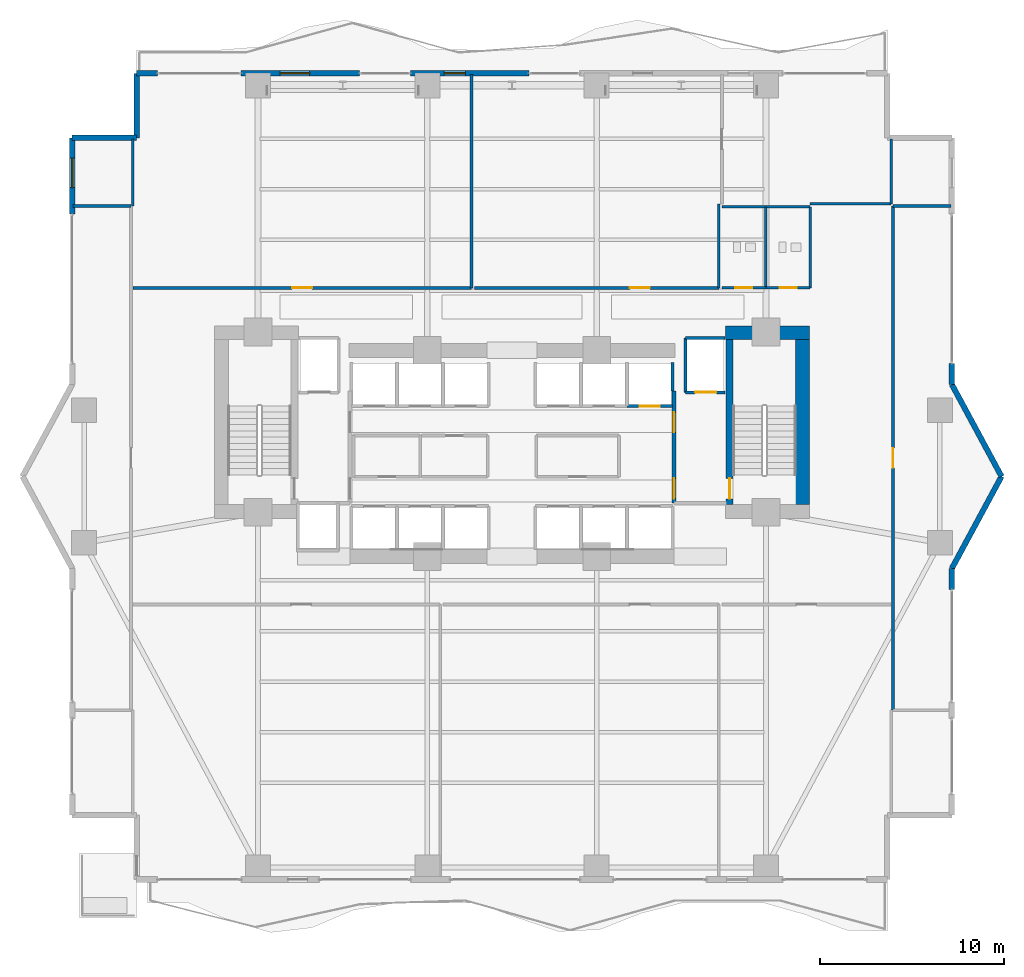
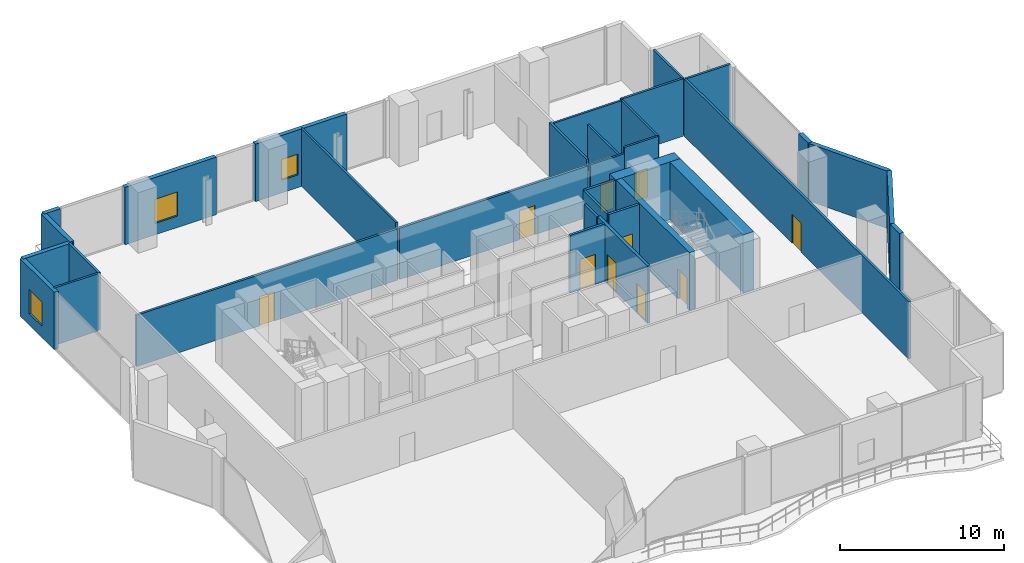
# One storey, part 28 of 33: 34 walls, 10 doors, 3 windows, 13 openings.
"""IFC4 building model written with IfcOpenShell, lengths in metres."""

from ifc_helpers import new_model, si_unit, direction, frame, frame_2d, origin, place, context, subcontext, project, spatial, rectangle, extrude, material, layer, layer_set, type_object, element, fill, save


model = new_model("IFC4")

# Units and contexts
model_context = context("Model", 3, precision=1e-05, world=origin(), true_north=direction((0.0, 1.0)))
body_context = subcontext(model_context, "Body", "Model", "MODEL_VIEW")
ifc_project = project(units=[si_unit("LENGTHUNIT", "METRE"), si_unit("AREAUNIT", "SQUARE_METRE"), si_unit("VOLUMEUNIT", "CUBIC_METRE"), si_unit("PLANEANGLEUNIT", "RADIAN"), si_unit("MASSUNIT", "GRAM", prefix="KILO")], contexts=[model_context])

# Site, building, storey
site_placement = place(None, origin())
site = spatial("IfcSite", under=ifc_project, at=site_placement, CompositionType="ELEMENT")
building_placement = place(site_placement, origin())
building = spatial("IfcBuilding", under=site, at=building_placement, Name="Zuhayl Quay Hotel", CompositionType="ELEMENT")
storey_placement = place(building_placement, frame((0.0, 0.0, 154.050048828125)))
storey = spatial("IfcBuildingStorey", under=building, at=storey_placement, Name="L39", CompositionType="ELEMENT", Elevation=154.050048828125)

# Walls
ifc_material_1 = material(Name="Concrete C60/75", Category="concrete")
ifc_layer_1 = layer(ifc_material_1, 0.75, Name="Concrete C60/75", Category="concrete")
ifc_layer_set_1 = layer_set([ifc_layer_1], Name="Concrete C60/75")
wall_type_1 = type_object("IfcWallType", Name="WL_CORE_750", PredefinedType="SHEAR", material=ifc_layer_set_1)
wall_1_placement = place(storey_placement, frame((11.60009765625, 14.304931640625, 0.0), z_axis=(0.0, 0.0, 1.0), x_axis=(1.0, 0.0, 0.0)))
element("IfcWall", 1, at=wall_1_placement, inside=storey, type_object=wall_type_1, Name="L39 Core Shear Wall CW_NE", PredefinedType="SHEAR", context=body_context, shape_type="SweptSolid", body=[
    extrude(rectangle(XDim=4.559814453125, YDim=0.75, at=frame_2d((2.27978515625, 0.0))), origin(), (0.0, 0.0, 1.0), 4.31005859375),
])
wall_2_placement = place(storey_placement, frame((15.784912109375, 4.969970703125, 0.0), z_axis=(0.0, 0.0, 1.0), x_axis=(0.0, 1.0, 0.0)))
element("IfcWall", 2, at=wall_2_placement, inside=storey, type_object=wall_type_1, Name="L39 Core Shear Wall CW_E", PredefinedType="SHEAR", context=body_context, shape_type="SweptSolid", body=[
    extrude(rectangle(XDim=8.9599609375, YDim=0.75, at=frame_2d((4.47998046875, 0.0))), origin(), (0.0, 0.0, 1.0), 4.31005859375),
])

# Wall, opening, window
ifc_material_2 = material(Name="Precast concrete C45/55", Category="concrete")
ifc_layer_2 = layer(ifc_material_2, 0.300048828125, Name="Precast concrete C45/55", Category="concrete")
ifc_layer_set_2 = layer_set([ifc_layer_2], Name="Precast concrete C45/55")
wall_type_2 = type_object("IfcWallType", Name="WL_EXT_300", PredefinedType="STANDARD", material=ifc_layer_set_2)
wall_3_placement = place(storey_placement, frame((-23.89990234375, 20.75, 0.0), z_axis=(0.0, 0.0, 1.0), x_axis=(0.0, 1.0, 0.0)))
wall_3 = element("IfcWall", 3, at=wall_3_placement, inside=storey, type_object=wall_type_2, Name="L39 Exterior Precast Wall ENV_L39_E05_EW2", PredefinedType="STANDARD", context=body_context, shape_type="SweptSolid", body=[
    extrude(rectangle(XDim=4.14990234375, YDim=0.300048828125, at=frame_2d((2.074951171875, 0.0))), origin(), (0.0, 0.0, 1.0), 4.280029296875),
])
opening_1_placement = place(wall_3_placement, frame((1.43994140625, 0.0, 0.85009765625)))
opening_1 = element("IfcOpeningElement", 4, at=opening_1_placement, cuts=wall_3, Name="Opening W01", PredefinedType="OPENING", context=body_context, shape_type="SweptSolid", body=[
    extrude(rectangle(XDim=1.60009765625, YDim=1.800048828125, at=frame_2d((0.800048828125, 0.89990234375))), frame((0.0, 0.159912109375, 0.0), z_axis=(0.0, -1.0, 0.0), x_axis=(1.0, 0.0, 0.0)), (0.0, 0.0, 1.0), 0.320068359375),
])
ifc_material_3 = material(Name="Dark Ceramic-Fritted Solar Glass", Category="glass")
window_type_1 = type_object("IfcWindowType", Name="WN_OPERABLE_1600", PartitioningType="DOUBLE_PANEL_VERTICAL", PredefinedType="WINDOW", material=ifc_material_3)
window_1_placement = place(opening_1_placement, origin())
window_1 = element("IfcWindow", 5, at=window_1_placement, inside=storey, type_object=window_type_1, Name="L39 Operable Facade Window 2-1", OverallHeight=1.800048828125, OverallWidth=1.60009765625, PartitioningType="SINGLE_PANEL", PredefinedType="WINDOW", context=body_context, shape_type="SweptSolid", body=[
    extrude(rectangle(XDim=1.60009765625, YDim=1.800048828125, at=frame_2d((0.800048828125, 0.89990234375))), frame((0.0, 0.030029296875, 0.0), z_axis=(0.0, -1.0, 0.0), x_axis=(1.0, 0.0, 0.0)), (0.0, 0.0, 1.0), 0.06005859375),
])
fill(opening_1, window_1)

# Walls
for number, where, z_axis, x_axis, name in (
    (6, (-23.89990234375, 24.89990234375, 0.0), (0.0, 0.0, 1.0), (1.0, 0.0, 0.0), "L39 Exterior Precast Wall ENV_L39_EW06"),
    (7, (-20.39990234375, 24.89990234375, 0.0), (0.0, 0.0, 1.0), (0.0, 1.0, 0.0), "L39 Exterior Precast Wall ENV_L39_EW07"),
):
    element("IfcWall", number, at=place(storey_placement, frame(where, z_axis=z_axis, x_axis=x_axis)), inside=storey, type_object=wall_type_2, Name=name, PredefinedType="STANDARD", context=body_context, shape_type="SweptSolid", body=[
        extrude(rectangle(XDim=3.5, YDim=0.300048828125, at=frame_2d((1.75, 0.0))), origin(), (0.0, 0.0, 1.0), 4.280029296875),
    ])
wall_4_placement = place(storey_placement, frame((-20.39990234375, 28.39990234375, 0.0), z_axis=(0.0, 0.0, 1.0), x_axis=(1.0, 0.0, 0.0)))
element("IfcWall", 8, at=wall_4_placement, inside=storey, type_object=wall_type_2, Name="L39 Exterior Precast Wall ENV_L39_N_EW1", PredefinedType="STANDARD", context=body_context, shape_type="SweptSolid", body=[
    extrude(rectangle(XDim=1.14990234375, YDim=0.300048828125, at=frame_2d((0.574951171875, 0.0))), origin(), (0.0, 0.0, 1.0), 4.280029296875),
])

# Wall, opening, window
wall_5_placement = place(storey_placement, frame((-14.719970703125, 28.39990234375, 0.0), z_axis=(0.0, 0.0, 1.0), x_axis=(1.0, 0.0, 0.0)))
wall_5 = element("IfcWall", 9, at=wall_5_placement, inside=storey, type_object=wall_type_2, Name="L39 Exterior Precast Wall ENV_L39_N_EW2", PredefinedType="STANDARD", context=body_context, shape_type="SweptSolid", body=[
    extrude(rectangle(XDim=6.43994140625, YDim=0.300048828125, at=frame_2d((3.219970703125, 0.0))), origin(), (0.0, 0.0, 1.0), 4.280029296875),
])
opening_2_placement = place(wall_5_placement, frame((2.1201171875, 0.0, 0.85009765625)))
opening_2 = element("IfcOpeningElement", 10, at=opening_2_placement, cuts=wall_5, Name="Opening W01", PredefinedType="OPENING", context=body_context, shape_type="SweptSolid", body=[
    extrude(rectangle(XDim=1.60009765625, YDim=1.800048828125, at=frame_2d((0.800048828125, 0.89990234375))), frame((0.0, 0.159912109375, 0.0), z_axis=(0.0, -1.0, 0.0), x_axis=(1.0, 0.0, 0.0)), (0.0, 0.0, 1.0), 0.320068359375),
])
window_2_placement = place(opening_2_placement, origin())
window_2 = element("IfcWindow", 11, at=window_2_placement, inside=storey, type_object=window_type_1, Name="L39 North Operable Casement Window", OverallHeight=1.800048828125, OverallWidth=1.60009765625, PartitioningType="SINGLE_PANEL", PredefinedType="WINDOW", context=body_context, shape_type="SweptSolid", body=[
    extrude(rectangle(XDim=1.60009765625, YDim=1.800048828125, at=frame_2d((0.800048828125, 0.89990234375))), frame((0.0, 0.030029296875, 0.0), z_axis=(0.0, -1.0, 0.0), x_axis=(1.0, 0.0, 0.0)), (0.0, 0.0, 1.0), 0.06005859375),
])
fill(opening_2, window_2)

wall_6_placement = place(storey_placement, frame((-5.52001953125, 28.39990234375, 0.0), z_axis=(0.0, 0.0, 1.0), x_axis=(1.0, 0.0, 0.0)))
wall_6 = element("IfcWall", 12, at=wall_6_placement, inside=storey, type_object=wall_type_2, Name="L39 Exterior Precast Wall ENV_L39_N_EW3", PredefinedType="STANDARD", context=body_context, shape_type="SweptSolid", body=[
    extrude(rectangle(XDim=6.43994140625, YDim=0.300048828125, at=frame_2d((3.219970703125, 0.0))), origin(), (0.0, 0.0, 1.0), 4.280029296875),
])
opening_3_placement = place(wall_6_placement, frame((1.8349609375, 0.0, 0.949951171875)))
opening_3 = element("IfcOpeningElement", 13, at=opening_3_placement, cuts=wall_6, Name="Opening W01N", PredefinedType="OPENING", context=body_context, shape_type="SweptSolid", body=[
    extrude(rectangle(XDim=1.14990234375, YDim=1.550048828125, at=frame_2d((0.574951171875, 0.77490234375))), frame((0.0, 0.159912109375, 0.0), z_axis=(0.0, -1.0, 0.0), x_axis=(1.0, 0.0, 0.0)), (0.0, 0.0, 1.0), 0.320068359375),
])
window_type_2 = type_object("IfcWindowType", Name="WN_NOTCH_1350", PartitioningType="SINGLE_PANEL", PredefinedType="WINDOW", material=ifc_material_3)
window_3_placement = place(opening_3_placement, origin())
window_3 = element("IfcWindow", 14, at=window_3_placement, inside=storey, type_object=window_type_2, Name="L39 Operable Facade Window 3-1", OverallHeight=1.550048828125, OverallWidth=1.14990234375, PartitioningType="SINGLE_PANEL", PredefinedType="WINDOW", context=body_context, shape_type="SweptSolid", body=[
    extrude(rectangle(XDim=1.14990234375, YDim=1.550048828125, at=frame_2d((0.574951171875, 0.77490234375))), frame((0.0, 0.030029296875, 0.0), z_axis=(0.0, -1.0, 0.0), x_axis=(1.0, 0.0, 0.0)), (0.0, 0.0, 1.0), 0.06005859375),
])
fill(opening_3, window_3)

# Walls
wall_7_placement = place(storey_placement, frame((23.89990234375, 12.64990234375, 0.0), z_axis=(0.0, 0.0, 1.0), x_axis=(0.0, -1.0, 0.0)))
element("IfcWall", 15, at=wall_7_placement, inside=storey, type_object=wall_type_2, Name="L39 Exterior Precast Wall ENV_L39_E11_EW2", PredefinedType="STANDARD", context=body_context, shape_type="SweptSolid", body=[
    extrude(rectangle(XDim=1.14990234375, YDim=0.300048828125, at=frame_2d((0.574951171875, 0.0))), origin(), (0.0, 0.0, 1.0), 4.280029296875),
])
for number, where, z_axis, x_axis, name in (
    (16, (23.89990234375, 11.5, 0.0), (0.0, 0.0, 1.0), (0.475175525499, -0.879891027325, 0.0), "L39 Exterior Precast Wall ENV_L39_EW12"),
    (17, (26.60009765625, 6.5, 0.0), (0.0, 0.0, 1.0), (-0.475175525499, -0.879891027325, 0.0), "L39 Exterior Precast Wall ENV_L39_EW13"),
):
    element("IfcWall", number, at=place(storey_placement, frame(where, z_axis=z_axis, x_axis=x_axis)), inside=storey, type_object=wall_type_2, Name=name, PredefinedType="STANDARD", context=body_context, shape_type="SweptSolid", body=[
        extrude(rectangle(XDim=5.6826171875, YDim=0.300048828125, at=frame_2d((2.84130859375, 0.0))), origin(), (0.0, 0.0, 1.0), 4.280029296875),
    ])
wall_8_placement = place(storey_placement, frame((23.89990234375, 1.5, 0.0), z_axis=(0.0, 0.0, 1.0), x_axis=(0.0, -1.0, 0.0)))
element("IfcWall", 18, at=wall_8_placement, inside=storey, type_object=wall_type_2, Name="L39 Exterior Precast Wall ENV_L39_E14_EW1", PredefinedType="STANDARD", context=body_context, shape_type="SweptSolid", body=[
    extrude(rectangle(XDim=1.14990234375, YDim=0.300048828125, at=frame_2d((0.574951171875, 0.0))), origin(), (0.0, 0.0, 1.0), 4.280029296875),
])
ifc_material_4 = material(Name="Acoustic Gypsum Partition STC-58")
ifc_layer_3 = layer(ifc_material_4, 0.14990234375, Name="Acoustic Gypsum Partition STC-58")
ifc_layer_set_3 = layer_set([ifc_layer_3], Name="Acoustic Gypsum Partition STC-58")
wall_type_3 = type_object("IfcWallType", Name="WL_PART_150", PredefinedType="PARTITIONING", material=ifc_layer_set_3)
wall_9_placement = place(storey_placement, frame((-20.60009765625, 21.199951171875, 0.0), z_axis=(0.0, 0.0, 1.0), x_axis=(0.0, 1.0, 0.0)))
element("IfcWall", 19, at=wall_9_placement, inside=storey, type_object=wall_type_3, Name="L39 Partition IW_L39_SKY_LOBBY_W", PredefinedType="PARTITIONING", context=body_context, shape_type="SweptSolid", body=[
    extrude(rectangle(XDim=3.64013671875, YDim=0.14990234375, at=frame_2d((1.820068359375, 0.0))), origin(), (0.0, 0.0, 1.0), 4.280029296875),
])
wall_10_placement = place(storey_placement, frame((-2.199951171875, 16.75, 0.0), z_axis=(0.0, 0.0, 1.0), x_axis=(0.0, 1.0, 0.0)))
element("IfcWall", 20, at=wall_10_placement, inside=storey, type_object=wall_type_3, Name="L39 Partition IW_L39_SKY_LOBBY_E", PredefinedType="PARTITIONING", context=body_context, shape_type="SweptSolid", body=[
    extrude(rectangle(XDim=11.590087890625, YDim=0.14990234375, at=frame_2d((5.794921875, 0.0))), origin(), (0.0, 0.0, 1.0), 4.280029296875),
])
wall_11_placement = place(storey_placement, frame((11.239990234375, 16.75, 0.0), z_axis=(0.0, 0.0, 1.0), x_axis=(0.0, 1.0, 0.0)))
element("IfcWall", 21, at=wall_11_placement, inside=storey, type_object=wall_type_3, Name="L39 Partition IW_L39_SKY_BAR_E", PredefinedType="PARTITIONING", context=body_context, shape_type="SweptSolid", body=[
    extrude(rectangle(XDim=4.56005859375, YDim=0.14990234375, at=frame_2d((2.280029296875, 0.0))), origin(), (0.0, 0.0, 1.0), 4.280029296875),
])
for number, where, z_axis, x_axis, name in (
    (22, (20.699951171875, 21.199951171875, 0.0), (0.0, 0.0, 1.0), (1.0, 0.0, 0.0), "L39 Partition IW_L39_SKY_VIP_E_N"),
    (23, (-23.840087890625, 21.199951171875, 0.0), (0.0, 0.0, 1.0), (1.0, 0.0, 0.0), "L39 Partition IW_L39_SKY_VIP_W_N"),
):
    element("IfcWall", number, at=place(storey_placement, frame(where, z_axis=z_axis, x_axis=x_axis)), inside=storey, type_object=wall_type_3, Name=name, PredefinedType="PARTITIONING", context=body_context, shape_type="SweptSolid", body=[
        extrude(rectangle(XDim=3.14013671875, YDim=0.14990234375, at=frame_2d((1.570068359375, 0.0))), origin(), (0.0, 0.0, 1.0), 4.280029296875),
    ])
wall_12_placement = place(storey_placement, frame((16.199951171875, 21.31005859375, 0.0), z_axis=(0.0, 0.0, 1.0), x_axis=(1.0, 0.0, 0.0)))
element("IfcWall", 24, at=wall_12_placement, inside=storey, type_object=wall_type_3, Name="L39 Partition IW_L39_SKY_LOUNGE_NE_S", PredefinedType="PARTITIONING", context=body_context, shape_type="SweptSolid", body=[
    extrude(rectangle(XDim=4.400146484375, YDim=0.14990234375, at=frame_2d((2.2001953125, 0.0))), origin(), (0.0, 0.0, 1.0), 4.280029296875),
])
wall_13_placement = place(storey_placement, frame((20.60009765625, 21.31005859375, 0.0), z_axis=(0.0, 0.0, 1.0), x_axis=(0.0, 1.0, 0.0)))
element("IfcWall", 25, at=wall_13_placement, inside=storey, type_object=wall_type_3, Name="L39 Partition IW_L39_SKY_LOUNGE_NE_E", PredefinedType="PARTITIONING", context=body_context, shape_type="SweptSolid", body=[
    extrude(rectangle(XDim=3.530029296875, YDim=0.14990234375, at=frame_2d((1.76513671875, 0.0))), origin(), (0.0, 0.0, 1.0), 4.280029296875),
])

# Wall, opening, door
ifc_layer_4 = layer(ifc_material_4, 0.159912109375, Name="Acoustic Gypsum Partition STC-58")
ifc_layer_set_4 = layer_set([ifc_layer_4], Name="Acoustic Gypsum Partition STC-58")
wall_type_4 = type_object("IfcWallType", Name="WL_PART_CORR_160", PredefinedType="PARTITIONING", material=ifc_layer_set_4)
wall_14_placement = place(storey_placement, frame((-20.60009765625, 16.75, 0.0), z_axis=(0.0, 0.0, 1.0), x_axis=(1.0, 0.0, 0.0)))
wall_14 = element("IfcWall", 26, at=wall_14_placement, inside=storey, type_object=wall_type_4, Name="L39 Partition IW_L39_SKY_LOBBY_S", PredefinedType="PARTITIONING", context=body_context, shape_type="SweptSolid", body=[
    extrude(rectangle(XDim=18.400146484375, YDim=0.159912109375, at=frame_2d((9.2001953125, 0.0))), origin(), (0.0, 0.0, 1.0), 3.822998046875),
])
opening_4_placement = place(wall_14_placement, frame((8.659912109375, 0.0, 0.0)))
opening_4 = element("IfcOpeningElement", 27, at=opening_4_placement, cuts=wall_14, Name="Opening D05A", PredefinedType="OPENING", context=body_context, shape_type="SweptSolid", body=[
    extrude(rectangle(XDim=1.080078125, YDim=2.179931640625, at=frame_2d((0.5400390625, 1.08984375))), frame((0.0, 0.08984375, 0.0), z_axis=(0.0, -1.0, 0.0), x_axis=(1.0, 0.0, 0.0)), (0.0, 0.0, 1.0), 0.179931640625),
])
ifc_material_5 = material(Name="Solid Walnut Acoustic Fire Door")
door_type_1 = type_object("IfcDoorType", Name="DR_INT_1100", OperationType="NOTDEFINED", PredefinedType="DOOR", material=ifc_material_5)
door_1_placement = place(opening_4_placement, origin())
door_1 = element("IfcDoor", 28, at=door_1_placement, inside=storey, type_object=door_type_1, Name="L39 Zone 2 Sky Lobby Concourse Door", OperationType="SINGLE_SWING_LEFT", OverallHeight=2.179931640625, OverallWidth=1.080078125, PredefinedType="DOOR", context=body_context, shape_type="SweptSolid", body=[
    extrude(rectangle(XDim=1.080078125, YDim=2.179931640625, at=frame_2d((0.5400390625, 1.08984375))), frame((0.0, 0.02490234375, 0.0), z_axis=(0.0, -1.0, 0.0), x_axis=(1.0, 0.0, 0.0)), (0.0, 0.0, 1.0), 0.050048828125),
])
fill(opening_4, door_1)

wall_15_placement = place(storey_placement, frame((-2.0400390625, 16.75, 0.0), z_axis=(0.0, 0.0, 1.0), x_axis=(1.0, 0.0, 0.0)))
wall_15 = element("IfcWall", 29, at=wall_15_placement, inside=storey, type_object=wall_type_4, Name="L39 Partition IW_L39_SKY_BAR_S", PredefinedType="PARTITIONING", context=body_context, shape_type="SweptSolid", body=[
    extrude(rectangle(XDim=13.280029296875, YDim=0.159912109375, at=frame_2d((6.64013671875, 0.0))), origin(), (0.0, 0.0, 1.0), 3.822998046875),
])
opening_5_placement = place(wall_15_placement, frame((8.449951171875, 0.0, 0.0)))
opening_5 = element("IfcOpeningElement", 30, at=opening_5_placement, cuts=wall_15, Name="Opening D05A", PredefinedType="OPENING", context=body_context, shape_type="SweptSolid", body=[
    extrude(rectangle(XDim=1.080078125, YDim=2.179931640625, at=frame_2d((0.5400390625, 1.08984375))), frame((0.0, 0.08984375, 0.0), z_axis=(0.0, -1.0, 0.0), x_axis=(1.0, 0.0, 0.0)), (0.0, 0.0, 1.0), 0.179931640625),
])
door_2_placement = place(opening_5_placement, origin())
door_2 = element("IfcDoor", 31, at=door_2_placement, inside=storey, type_object=door_type_1, Name="L39 Horizon Espresso and Tea Lounge Door", OperationType="SINGLE_SWING_RIGHT", OverallHeight=2.179931640625, OverallWidth=1.080078125, PredefinedType="DOOR", context=body_context, shape_type="SweptSolid", body=[
    extrude(rectangle(XDim=1.080078125, YDim=2.179931640625, at=frame_2d((0.5400390625, 1.08984375))), frame((0.0, 0.02490234375, 0.0), z_axis=(0.0, -1.0, 0.0), x_axis=(1.0, 0.0, 0.0)), (0.0, 0.0, 1.0), 0.050048828125),
])
fill(opening_5, door_2)

wall_16_placement = place(storey_placement, frame((20.699951171875, -6.199951171875, 0.0), z_axis=(0.0, 0.0, 1.0), x_axis=(0.0, 1.0, 0.0)))
wall_16 = element("IfcWall", 32, at=wall_16_placement, inside=storey, type_object=wall_type_4, Name="L39 Partition IW_L39_SKY_VIP_E_W", PredefinedType="PARTITIONING", context=body_context, shape_type="SweptSolid", body=[
    extrude(rectangle(XDim=27.39990234375, YDim=0.159912109375, at=frame_2d((13.699951171875, 0.0))), origin(), (0.0, 0.0, 1.0), 4.280029296875),
])
opening_6_placement = place(wall_16_placement, frame((13.159912109375, 0.0, 0.0)))
opening_6 = element("IfcOpeningElement", 33, at=opening_6_placement, cuts=wall_16, Name="Opening D05A", PredefinedType="OPENING", context=body_context, shape_type="SweptSolid", body=[
    extrude(rectangle(XDim=1.080078125, YDim=2.179931640625, at=frame_2d((0.5400390625, 1.08984375))), frame((0.0, 0.08984375, 0.0), z_axis=(0.0, -1.0, 0.0), x_axis=(1.0, 0.0, 0.0)), (0.0, 0.0, 1.0), 0.179931640625),
])
door_3_placement = place(opening_6_placement, origin())
door_3 = element("IfcDoor", 34, at=door_3_placement, inside=storey, type_object=door_type_1, Name="L39 East Prow Executive Lounge Door", OperationType="SINGLE_SWING_LEFT", OverallHeight=2.179931640625, OverallWidth=1.080078125, PredefinedType="DOOR", context=body_context, shape_type="SweptSolid", body=[
    extrude(rectangle(XDim=1.080078125, YDim=2.179931640625, at=frame_2d((0.5400390625, 1.08984375))), frame((0.0, 0.02490234375, 0.0), z_axis=(0.0, -1.0, 0.0), x_axis=(1.0, 0.0, 0.0)), (0.0, 0.0, 1.0), 0.050048828125),
])
fill(opening_6, door_3)

ifc_material_6 = material(Name="Moisture-Resistant Sanitarychase Gypsum")
ifc_layer_5 = layer(ifc_material_6, 0.135009765625, Name="Moisture-Resistant Sanitarychase Gypsum")
ifc_layer_set_5 = layer_set([ifc_layer_5], Name="Moisture-Resistant Sanitarychase Gypsum")
wall_type_5 = type_object("IfcWallType", Name="WL_PART_PLUMB_150", PredefinedType="PLUMBINGWALL", material=ifc_layer_set_5)
wall_17_placement = place(storey_placement, frame((11.39990234375, 16.75, 0.0), z_axis=(0.0, 0.0, 1.0), x_axis=(1.0, 0.0, 0.0)))
wall_17 = element("IfcWall", 35, at=wall_17_placement, inside=storey, type_object=wall_type_5, Name="L39 Partition IW_L39_SWC_PUB_F", PredefinedType="PLUMBINGWALL", context=body_context, shape_type="SweptSolid", body=[
    extrude(rectangle(XDim=2.400146484375, YDim=0.135009765625, at=frame_2d((1.2001953125, 0.0))), origin(), (0.0, 0.0, 1.0), 3.822998046875),
])
opening_7_placement = place(wall_17_placement, frame((0.739990234375, 0.0, 0.0)))
opening_7 = element("IfcOpeningElement", 36, at=opening_7_placement, cuts=wall_17, Name="Opening D05", PredefinedType="OPENING", context=body_context, shape_type="SweptSolid", body=[
    extrude(rectangle(XDim=0.919921875, YDim=2.1201171875, at=frame_2d((0.4599609375, 1.06005859375))), frame((0.0, 0.077392578125, 0.0), z_axis=(0.0, -1.0, 0.0), x_axis=(1.0, 0.0, 0.0)), (0.0, 0.0, 1.0), 0.155029296875),
])
door_type_2 = type_object("IfcDoorType", Name="DR_INT_950", OperationType="NOTDEFINED", PredefinedType="DOOR", material=ifc_material_5)
door_4_placement = place(opening_7_placement, origin())
door_4 = element("IfcDoor", 37, at=door_4_placement, inside=storey, type_object=door_type_2, Name="L39 Public Restroom Door", OperationType="SINGLE_SWING_RIGHT", OverallHeight=2.1201171875, OverallWidth=0.919921875, PredefinedType="DOOR", context=body_context, shape_type="SweptSolid", body=[
    extrude(rectangle(XDim=0.919921875, YDim=2.1201171875, at=frame_2d((0.4599609375, 1.06005859375))), frame((0.0, 0.02490234375, 0.0), z_axis=(0.0, -1.0, 0.0), x_axis=(1.0, 0.0, 0.0)), (0.0, 0.0, 1.0), 0.050048828125),
])
fill(opening_7, door_4)

wall_18_placement = place(storey_placement, frame((13.800048828125, 16.75, 0.0), z_axis=(0.0, 0.0, 1.0), x_axis=(1.0, 0.0, 0.0)))
wall_18 = element("IfcWall", 38, at=wall_18_placement, inside=storey, type_object=wall_type_5, Name="L39 Partition IW_L39_SWC_ACC_F", PredefinedType="PLUMBINGWALL", context=body_context, shape_type="SweptSolid", body=[
    extrude(rectangle(XDim=2.39990234375, YDim=0.135009765625, at=frame_2d((1.199951171875, 0.0))), origin(), (0.0, 0.0, 1.0), 4.280029296875),
])
opening_8_placement = place(wall_18_placement, frame((0.739990234375, 0.0, 0.0)))
opening_8 = element("IfcOpeningElement", 39, at=opening_8_placement, cuts=wall_18, Name="Opening D05", PredefinedType="OPENING", context=body_context, shape_type="SweptSolid", body=[
    extrude(rectangle(XDim=0.919921875, YDim=2.1201171875, at=frame_2d((0.4599609375, 1.06005859375))), frame((0.0, 0.077392578125, 0.0), z_axis=(0.0, -1.0, 0.0), x_axis=(1.0, 0.0, 0.0)), (0.0, 0.0, 1.0), 0.155029296875),
])
door_5_placement = place(opening_8_placement, origin())
door_5 = element("IfcDoor", 40, at=door_5_placement, inside=storey, type_object=door_type_2, Name="L39 Accessible Wheelchair WC Door", OperationType="SINGLE_SWING_LEFT", OverallHeight=2.1201171875, OverallWidth=0.919921875, PredefinedType="DOOR", context=body_context, shape_type="SweptSolid", body=[
    extrude(rectangle(XDim=0.919921875, YDim=2.1201171875, at=frame_2d((0.4599609375, 1.06005859375))), frame((0.0, 0.02490234375, 0.0), z_axis=(0.0, -1.0, 0.0), x_axis=(1.0, 0.0, 0.0)), (0.0, 0.0, 1.0), 0.050048828125),
])
fill(opening_8, door_5)

# Walls
wall_19_placement = place(storey_placement, frame((11.39990234375, 21.14990234375, 0.0), z_axis=(0.0, 0.0, 1.0), x_axis=(1.0, 0.0, 0.0)))
element("IfcWall", 41, at=wall_19_placement, inside=storey, type_object=wall_type_5, Name="L39 Partition IW_L39_SWC_BK", PredefinedType="PLUMBINGWALL", context=body_context, shape_type="SweptSolid", body=[
    extrude(rectangle(XDim=4.800048828125, YDim=0.135009765625, at=frame_2d((2.39990234375, 0.0))), origin(), (0.0, 0.0, 1.0), 4.280029296875),
])
wall_20_placement = place(storey_placement, frame((16.199951171875, 16.75, 0.0), z_axis=(0.0, 0.0, 1.0), x_axis=(0.0, 1.0, 0.0)))
element("IfcWall", 42, at=wall_20_placement, inside=storey, type_object=wall_type_5, Name="L39 Partition IW_L39_SWC_E", PredefinedType="PLUMBINGWALL", context=body_context, shape_type="SweptSolid", body=[
    extrude(rectangle(XDim=4.39990234375, YDim=0.135009765625, at=frame_2d((2.199951171875, 0.0))), origin(), (0.0, 0.0, 1.0), 4.280029296875),
])
wall_21_placement = place(storey_placement, frame((13.800048828125, 16.75, 0.0), z_axis=(0.0, 0.0, 1.0), x_axis=(0.0, 1.0, 0.0)))
element("IfcWall", 43, at=wall_21_placement, inside=storey, type_object=wall_type_5, Name="L39 Partition IW_L39_SWC_DIV", PredefinedType="PLUMBINGWALL", context=body_context, shape_type="SweptSolid", body=[
    extrude(rectangle(XDim=4.39990234375, YDim=0.135009765625, at=frame_2d((2.199951171875, 0.0))), origin(), (0.0, 0.0, 1.0), 3.35302734375),
])

# Wall, opening, door
ifc_material_7 = material(Name="Gypsum Fireboard Assembly EI-90")
ifc_layer_6 = layer(ifc_material_7, 0.1650390625, Name="Gypsum Fireboard Assembly EI-90")
ifc_layer_set_6 = layer_set([ifc_layer_6], Name="Gypsum Fireboard Assembly EI-90")
wall_type_6 = type_object("IfcWallType", Name="WL_PART_SHAFT_160", PredefinedType="PARTITIONING", material=ifc_layer_set_6)
wall_22_placement = place(storey_placement, frame((9.419921875, 11.070068359375, 0.0), z_axis=(0.0, 0.0, 1.0), x_axis=(1.0, 0.0, 0.0)))
wall_22 = element("IfcWall", 44, at=wall_22_placement, inside=storey, type_object=wall_type_6, Name="L39 Partition IW_L39_SH_FL2_F", PredefinedType="PARTITIONING", context=body_context, shape_type="SweptSolid", body=[
    extrude(rectangle(XDim=2.16015625, YDim=0.1650390625, at=frame_2d((1.080078125, 0.0))), origin(), (0.0, 0.0, 1.0), 4.280029296875),
])
opening_9_placement = place(wall_22_placement, frame((0.530029296875, 0.0, 0.0)))
opening_9 = element("IfcOpeningElement", 45, at=opening_9_placement, cuts=wall_22, Name="Opening LD2", PredefinedType="OPENING", context=body_context, shape_type="SweptSolid", body=[
    extrude(rectangle(XDim=1.14990234375, YDim=2.25, at=frame_2d((0.574951171875, 1.125))), frame((0.0, 0.092529296875, 0.0), z_axis=(0.0, -1.0, 0.0), x_axis=(1.0, 0.0, 0.0)), (0.0, 0.0, 1.0), 0.18505859375),
])
ifc_material_8 = material(Name="Brushed Stainless Steel", Category="steel")
door_type_3 = type_object("IfcDoorType", Name="DR_LIFT_FF_1100", OperationType="SLIDING_TO_LEFT", PredefinedType="DOOR", material=ifc_material_8)
door_6_placement = place(opening_9_placement, origin())
door_6 = element("IfcDoor", 46, at=door_6_placement, inside=storey, type_object=door_type_3, Name="L39 Lift FL2 Sliding Landing Door", OperationType="SLIDING_TO_LEFT", OverallHeight=2.25, OverallWidth=1.14990234375, PredefinedType="DOOR", context=body_context, shape_type="SweptSolid", body=[
    extrude(rectangle(XDim=1.14990234375, YDim=2.25, at=frame_2d((0.574951171875, 1.125))), frame((0.0, 0.02490234375, 0.0), z_axis=(0.0, -1.0, 0.0), x_axis=(1.0, 0.0, 0.0)), (0.0, 0.0, 1.0), 0.050048828125),
])
fill(opening_9, door_6)

wall_23_placement = place(storey_placement, frame((6.25, 10.320068359375, 0.0), z_axis=(0.0, 0.0, 1.0), x_axis=(1.0, 0.0, 0.0)))
wall_23 = element("IfcWall", 47, at=wall_23_placement, inside=storey, type_object=wall_type_6, Name="L39 Partition IW_L39_SH_HP4_F", PredefinedType="PARTITIONING", context=body_context, shape_type="SweptSolid", body=[
    extrude(rectangle(XDim=2.47998046875, YDim=0.1650390625, at=frame_2d((1.239990234375, 0.0))), origin(), (0.0, 0.0, 1.0), 4.280029296875),
])
opening_10_placement = place(wall_23_placement, frame((0.68994140625, 0.0, 0.0)))
opening_10 = element("IfcOpeningElement", 48, at=opening_10_placement, cuts=wall_23, Name="Opening LD1", PredefinedType="OPENING", context=body_context, shape_type="SweptSolid", body=[
    extrude(rectangle(XDim=1.10009765625, YDim=2.25, at=frame_2d((0.550048828125, 1.125))), frame((0.0, 0.092529296875, 0.0), z_axis=(0.0, -1.0, 0.0), x_axis=(1.0, 0.0, 0.0)), (0.0, 0.0, 1.0), 0.18505859375),
])
door_type_4 = type_object("IfcDoorType", Name="DR_LIFT_PASS_1100", OperationType="SLIDING_TO_LEFT", PredefinedType="DOOR", material=ifc_material_8)
door_7_placement = place(opening_10_placement, origin())
door_7 = element("IfcDoor", 49, at=door_7_placement, inside=storey, type_object=door_type_4, Name="L39 Lift HP4 Sliding Landing Door", OperationType="SLIDING_TO_LEFT", OverallHeight=2.25, OverallWidth=1.10009765625, PredefinedType="DOOR", context=body_context, shape_type="SweptSolid", body=[
    extrude(rectangle(XDim=1.10009765625, YDim=2.25, at=frame_2d((0.550048828125, 1.125))), frame((0.0, 0.02490234375, 0.0), z_axis=(0.0, -1.0, 0.0), x_axis=(1.0, 0.0, 0.0)), (0.0, 0.0, 1.0), 0.050048828125),
])
fill(opening_10, door_7)

# Walls
wall_24_placement = place(storey_placement, frame((9.419921875, 11.070068359375, 0.0), z_axis=(0.0, 0.0, 1.0), x_axis=(0.0, 1.0, 0.0)))
element("IfcWall", 50, at=wall_24_placement, inside=storey, type_object=wall_type_6, Name="L39 Partition IW_L39_SH_FL2_W", PredefinedType="PARTITIONING", context=body_context, shape_type="SweptSolid", body=[
    extrude(rectangle(XDim=2.9599609375, YDim=0.1650390625, at=frame_2d((1.47998046875, 0.0))), origin(), (0.0, 0.0, 1.0), 4.280029296875),
])
wall_25_placement = place(storey_placement, frame((9.419921875, 14.030029296875, 0.0), z_axis=(0.0, 0.0, 1.0), x_axis=(1.0, 0.0, 0.0)))
element("IfcWall", 51, at=wall_25_placement, inside=storey, type_object=wall_type_6, Name="L39 Partition IW_L39_SH_FL2_B", PredefinedType="PARTITIONING", context=body_context, shape_type="SweptSolid", body=[
    extrude(rectangle(XDim=2.16015625, YDim=0.1650390625, at=frame_2d((1.080078125, 0.0))), origin(), (0.0, 0.0, 1.0), 4.280029296875),
])
wall_26_placement = place(storey_placement, frame((8.72998046875, 11.14990234375, 0.0), z_axis=(0.0, 0.0, 1.0), x_axis=(0.0, 1.0, 0.0)))
element("IfcWall", 52, at=wall_26_placement, inside=storey, type_object=wall_type_6, Name="L39 Partition IW_L39_SH_HP4_E", PredefinedType="PARTITIONING", context=body_context, shape_type="SweptSolid", body=[
    extrude(rectangle(XDim=1.530029296875, YDim=0.1650390625, at=frame_2d((0.76513671875, 0.0))), origin(), (0.0, 0.0, 1.0), 4.280029296875),
])

# Wall, openings, doors
ifc_material_9 = material(Name="Gypsum Fireboard Assembly EI-120")
ifc_layer_7 = layer(ifc_material_9, 0.199951171875, Name="Gypsum Fireboard Assembly EI-120")
ifc_layer_set_7 = layer_set([ifc_layer_7], Name="Gypsum Fireboard Assembly EI-120")
wall_type_7 = type_object("IfcWallType", Name="WL_PART_SHAFT_200", PredefinedType="PARTITIONING", material=ifc_layer_set_7)
wall_27_placement = place(storey_placement, frame((8.800048828125, 11.14990234375, 0.0), z_axis=(0.0, 0.0, 1.0), x_axis=(0.0, -1.0, 0.0)))
wall_27 = element("IfcWall", 53, at=wall_27_placement, inside=storey, type_object=wall_type_7, Name="L39 Partition IW_L39_FSAE_E_W", PredefinedType="PARTITIONING", context=body_context, shape_type="SweptSolid", body=[
    extrude(rectangle(XDim=6.099853515625, YDim=0.199951171875, at=frame_2d((3.0498046875, 0.0))), origin(), (0.0, 0.0, 1.0), 4.280029296875),
])
opening_11_placement = place(wall_27_placement, frame((1.14990234375, 0.0, 0.0)))
opening_11 = element("IfcOpeningElement", 54, at=opening_11_placement, cuts=wall_27, Name="Opening D02", PredefinedType="OPENING", context=body_context, shape_type="SweptSolid", body=[
    extrude(rectangle(XDim=1.10009765625, YDim=2.199951171875, at=frame_2d((0.550048828125, 1.10009765625))), frame((0.0, 0.10986328125, 0.0), z_axis=(0.0, -1.0, 0.0), x_axis=(1.0, 0.0, 0.0)), (0.0, 0.0, 1.0), 0.219970703125),
])
opening_12_placement = place(wall_27_placement, frame((4.75, 0.0, 0.0)))
opening_12 = element("IfcOpeningElement", 55, at=opening_12_placement, cuts=wall_27, Name="Opening D02", PredefinedType="OPENING", context=body_context, shape_type="SweptSolid", body=[
    extrude(rectangle(XDim=1.10009765625, YDim=2.199951171875, at=frame_2d((0.550048828125, 1.10009765625))), frame((0.0, 0.10986328125, 0.0), z_axis=(0.0, -1.0, 0.0), x_axis=(1.0, 0.0, 0.0)), (0.0, 0.0, 1.0), 0.219970703125),
])
ifc_material_10 = material(Name="Steel ASTM A992 Grade 50", Category="steel")
door_type_5 = type_object("IfcDoorType", Name="DR_FIRE_90_1100", OperationType="NOTDEFINED", PredefinedType="DOOR", material=ifc_material_10)
door_8_placement = place(opening_11_placement, origin())
door_8 = element("IfcDoor", 56, at=door_8_placement, inside=storey, type_object=door_type_5, Name="L39 FSAE Lobby East North Entry Door", OperationType="SINGLE_SWING_RIGHT", OverallHeight=2.199951171875, OverallWidth=1.10009765625, PredefinedType="DOOR", context=body_context, shape_type="SweptSolid", body=[
    extrude(rectangle(XDim=1.10009765625, YDim=2.199951171875, at=frame_2d((0.550048828125, 1.10009765625))), frame((0.0, 0.02490234375, 0.0), z_axis=(0.0, -1.0, 0.0), x_axis=(1.0, 0.0, 0.0)), (0.0, 0.0, 1.0), 0.050048828125),
])
fill(opening_11, door_8)
door_9_placement = place(opening_12_placement, origin())
door_9 = element("IfcDoor", 57, at=door_9_placement, inside=storey, type_object=door_type_5, Name="L39 FSAE Lobby East South Entry Door", OperationType="SINGLE_SWING_LEFT", OverallHeight=2.199951171875, OverallWidth=1.10009765625, PredefinedType="DOOR", context=body_context, shape_type="SweptSolid", body=[
    extrude(rectangle(XDim=1.10009765625, YDim=2.199951171875, at=frame_2d((0.550048828125, 1.10009765625))), frame((0.0, 0.02490234375, 0.0), z_axis=(0.0, -1.0, 0.0), x_axis=(1.0, 0.0, 0.0)), (0.0, 0.0, 1.0), 0.050048828125),
])
fill(opening_12, door_9)

# Wall, opening, door
ifc_layer_8 = layer(ifc_material_1, 0.39990234375, Name="Concrete C60/75", Category="concrete")
ifc_layer_set_8 = layer_set([ifc_layer_8], Name="Concrete C60/75")
wall_type_8 = type_object("IfcWallType", Name="WL_STAIR_400", PredefinedType="SHEAR", material=ifc_layer_set_8)
wall_28_placement = place(storey_placement, frame((11.820068359375, 13.929931640625, 0.0), z_axis=(0.0, 0.0, 1.0), x_axis=(0.0, -1.0, 0.0)))
wall_28 = element("IfcWall", 58, at=wall_28_placement, inside=storey, type_object=wall_type_8, Name="L39 Core Shear Wall SW_ST2", PredefinedType="SHEAR", context=body_context, shape_type="SweptSolid", body=[
    extrude(rectangle(XDim=8.9599609375, YDim=0.39990234375, at=frame_2d((4.47998046875, 0.0))), origin(), (0.0, 0.0, 1.0), 4.31005859375),
])
opening_13_placement = place(wall_28_placement, frame((7.530029296875, 0.0, 0.0)))
opening_13 = element("IfcOpeningElement", 59, at=opening_13_placement, cuts=wall_28, Name="Opening D01", PredefinedType="OPENING", context=body_context, shape_type="SweptSolid", body=[
    extrude(rectangle(XDim=1.1201171875, YDim=2.219970703125, at=frame_2d((0.56005859375, 1.10986328125))), frame((0.0, 0.2099609375, 0.0), z_axis=(0.0, -1.0, 0.0), x_axis=(1.0, 0.0, 0.0)), (0.0, 0.0, 1.0), 0.419921875),
])
door_type_6 = type_object("IfcDoorType", Name="DR_STAIR_90_1100", OperationType="NOTDEFINED", PredefinedType="DOOR", material=ifc_material_10)
door_10_placement = place(opening_13_placement, origin())
door_10 = element("IfcDoor", 60, at=door_10_placement, inside=storey, type_object=door_type_6, Name="L39 Smokeproof Exit Stair ST2 Door", OperationType="SINGLE_SWING_RIGHT", OverallHeight=2.219970703125, OverallWidth=1.1201171875, PredefinedType="DOOR", context=body_context, shape_type="SweptSolid", body=[
    extrude(rectangle(XDim=1.1201171875, YDim=2.219970703125, at=frame_2d((0.56005859375, 1.10986328125))), frame((0.0, 0.02490234375, 0.0), z_axis=(0.0, -1.0, 0.0), x_axis=(1.0, 0.0, 0.0)), (0.0, 0.0, 1.0), 0.050048828125),
])
fill(opening_13, door_10)

save(model, "model.ifc")
